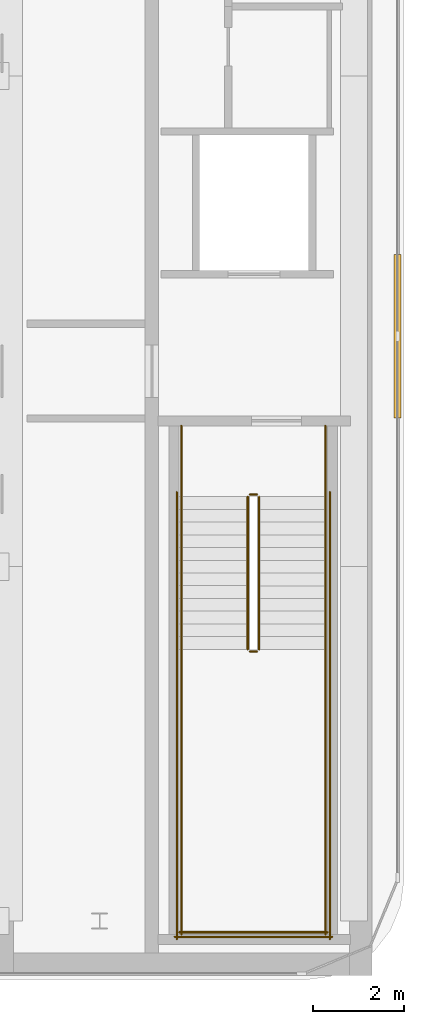
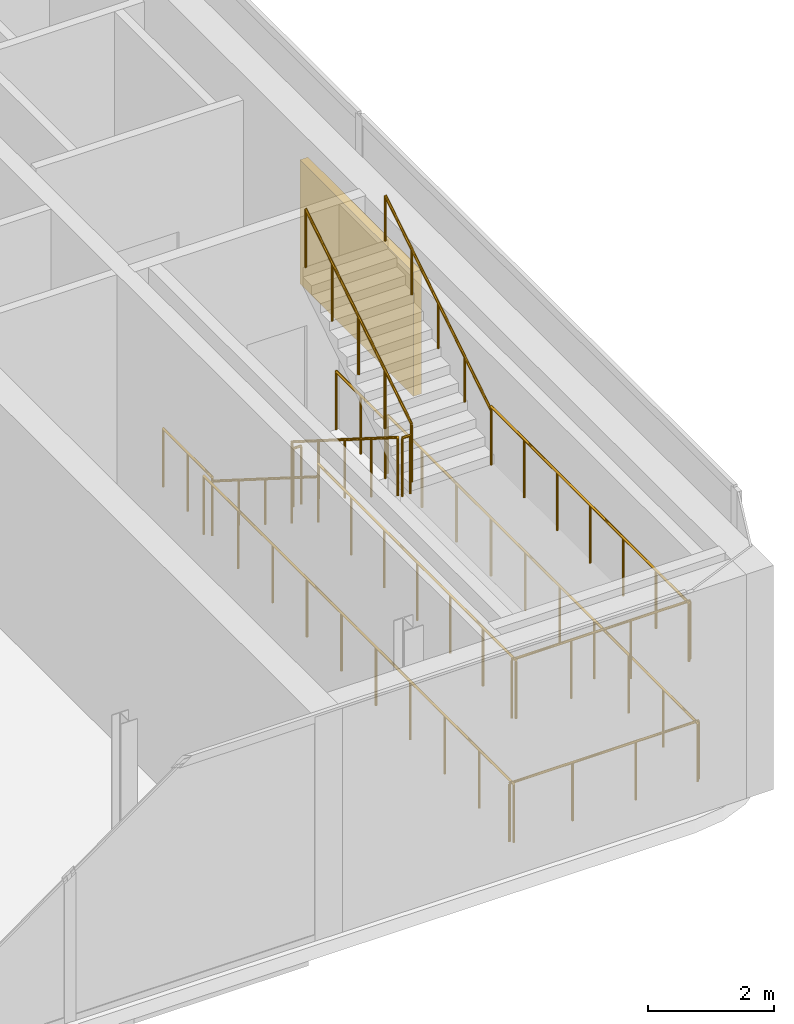
# One storey, part 14 of 15: 14 railings, 1 shading device.
"""IFC4 building model written with IfcOpenShell, lengths in metres."""

from ifc_helpers import new_model, si_unit, direction, frame, origin, origin_2d, place, context, subcontext, project, spatial, rectangle, circle, extrude, material, layer, layer_set, type_object, element, save


model = new_model("IFC4")

# Units and contexts
model_context = context("Model", 3, precision=1e-05, world=origin(), true_north=direction((0.0, 1.0)))
body_context = subcontext(model_context, "Body", "Model", "MODEL_VIEW")
ifc_project = project(units=[si_unit("LENGTHUNIT", "METRE"), si_unit("AREAUNIT", "SQUARE_METRE"), si_unit("VOLUMEUNIT", "CUBIC_METRE"), si_unit("PLANEANGLEUNIT", "RADIAN"), si_unit("MASSUNIT", "GRAM", prefix="KILO")], contexts=[model_context])

# Site, building, storey
site_placement = place(None, origin())
site = spatial("IfcSite", under=ifc_project, at=site_placement, CompositionType="ELEMENT")
building_placement = place(site_placement, origin())
building = spatial("IfcBuilding", under=site, at=building_placement, Name="Khairoan Windgate Tower", CompositionType="ELEMENT")
storey_placement = place(building_placement, frame((0.0, 0.0, 330.39990234375)))
storey = spatial("IfcBuildingStorey", under=building, at=storey_placement, Name="L79", CompositionType="ELEMENT", Elevation=330.39990234375)

# Shading device
ifc_material_1 = material(Name="Anodised Bronze Aluminium 6063-T6", Category="aluminium")
ifc_layer = layer(ifc_material_1, 0.14990234375, Name="Anodised Bronze Aluminium 6063-T6")
ifc_layer_set = layer_set([ifc_layer], Name="Anodised Bronze Aluminium 6063-T6")
shading_device_type = type_object("IfcShadingDeviceType", Name="Acoustic Bronze Plant Weather Louvre BWL-1", PredefinedType="JALOUSIE", material=ifc_layer_set)
shading_device_placement = place(storey_placement, frame((20.9599609375, -5.724365234375, 0.000244140625), z_axis=(0.0, 0.0, 1.0), x_axis=(0.0, -1.0, 0.0)))
element("IfcShadingDevice", 1, at=shading_device_placement, inside=storey, type_object=shading_device_type, Name="L79 Acoustic Bronze Plant Louvre 7", PredefinedType="JALOUSIE", context=body_context, shape_type="SweptSolid", body=[
    extrude(rectangle(XDim=3.60009765625, YDim=0.14990234375, at=origin_2d()), origin(), (0.0, 0.0, 1.0), 2.39990234375),
])

# Railings
ifc_material_2 = material(Name="Anodised Bronze Aluminium 6063-T6", Category="aluminium")
railing_type_1 = type_object("IfcRailingType", Name="Stair Wall Handrail SHR-900", PredefinedType="HANDRAIL", material=ifc_material_2)
railing_1_placement = place(storey_placement, frame((16.199951171875, -9.260009765625, 0.177001953125)))
element("IfcRailing", 2, at=railing_1_placement, inside=storey, type_object=railing_type_1, Name="L79 ST1 stair handrail 1", PredefinedType="HANDRAIL", context=body_context, shape_type="SweptSolid", body=[
    extrude(circle(Radius=0.02392578125, at=origin_2d()), frame((0.0, 0.0, 0.8759765625), z_axis=(0.0, -0.845389635667, 0.534150132366), x_axis=(1.0, 0.0, 0.0)), (0.0, 0.0, 1.0), 3.974609375),
    extrude(circle(Radius=0.02099609375, at=origin_2d()), origin(), (0.0, 0.0, 1.0), 0.851806640625),
    extrude(circle(Radius=0.02099609375, at=origin_2d()), frame((0.0, -0.840087890625, 0.53076171875)), (0.0, 0.0, 1.0), 0.851806640625),
    extrude(circle(Radius=0.02099609375, at=origin_2d()), frame((0.0, -1.68017578125, 1.0615234375)), (0.0, 0.0, 1.0), 0.851806640625),
    extrude(circle(Radius=0.02099609375, at=origin_2d()), frame((0.0, -2.52001953125, 1.59228515625)), (0.0, 0.0, 1.0), 0.851806640625),
    extrude(circle(Radius=0.02099609375, at=origin_2d()), frame((0.0, -3.360107421875, 2.123046875)), (0.0, 0.0, 1.0), 0.851806640625),
])
railing_2_placement = place(storey_placement, frame((19.3701171875, -12.6201171875, 2.47705078125)))
element("IfcRailing", 3, at=railing_2_placement, inside=storey, type_object=railing_type_1, Name="L79 ST1 stair handrail 2", PredefinedType="HANDRAIL", context=body_context, shape_type="SweptSolid", body=[
    extrude(circle(Radius=0.02392578125, at=origin_2d()), frame((0.0, 0.0, 0.8759765625), z_axis=(0.0, 0.845389635667, 0.534150132366), x_axis=(-1.0, 0.0, 0.0)), (0.0, 0.0, 1.0), 3.974609375),
    extrude(circle(Radius=0.02099609375, at=origin_2d()), origin(), (0.0, 0.0, 1.0), 0.851806640625),
    extrude(circle(Radius=0.02099609375, at=origin_2d()), frame((0.0, 0.840087890625, 0.53076171875)), (0.0, 0.0, 1.0), 0.851806640625),
    extrude(circle(Radius=0.02099609375, at=origin_2d()), frame((0.0, 1.68017578125, 1.0615234375)), (0.0, 0.0, 1.0), 0.851806640625),
    extrude(circle(Radius=0.02099609375, at=origin_2d()), frame((0.0, 2.52001953125, 1.59228515625)), (0.0, 0.0, 1.0), 0.851806640625),
    extrude(circle(Radius=0.02099609375, at=origin_2d()), frame((0.0, 3.360107421875, 2.123046875)), (0.0, 0.0, 1.0), 0.851806640625),
])
ifc_material_3 = material(Name="Steel S355", Category="steel")
railing_type_2 = type_object("IfcRailingType", Name="Stairwell Safety Guardrail SGR-1150", PredefinedType="GUARDRAIL", material=ifc_material_3)
railing_3_placement = place(storey_placement, frame((17.659912109375, -9.260009765625, 0.177001953125)))
element("IfcRailing", 4, at=railing_3_placement, inside=storey, type_object=railing_type_2, Name="L79 ST1 stair guard 1", PredefinedType="GUARDRAIL", context=body_context, shape_type="SweptSolid", body=[
    extrude(circle(Radius=0.02392578125, at=origin_2d()), frame((0.0, 0.0, 1.1259765625), z_axis=(0.0, -0.845389635667, 0.534150132366), x_axis=(1.0, 0.0, 0.0)), (0.0, 0.0, 1.0), 3.974609375),
    extrude(circle(Radius=0.02099609375, at=origin_2d()), origin(), (0.0, 0.0, 1.0), 1.101806640625),
    extrude(circle(Radius=0.02099609375, at=origin_2d()), frame((0.0, -0.840087890625, 0.53076171875)), (0.0, 0.0, 1.0), 1.101806640625),
    extrude(circle(Radius=0.02099609375, at=origin_2d()), frame((0.0, -1.68017578125, 1.0615234375)), (0.0, 0.0, 1.0), 1.101806640625),
    extrude(circle(Radius=0.02099609375, at=origin_2d()), frame((0.0, -2.52001953125, 1.59228515625)), (0.0, 0.0, 1.0), 1.101806640625),
    extrude(circle(Radius=0.02099609375, at=origin_2d()), frame((0.0, -3.360107421875, 2.123046875)), (0.0, 0.0, 1.0), 1.101806640625),
])
railing_4_placement = place(storey_placement, frame((17.7099609375, -12.669921875, 2.300048828125)))
element("IfcRailing", 5, at=railing_4_placement, inside=storey, type_object=railing_type_2, Name="L79 ST1 stair guard 2", PredefinedType="GUARDRAIL", context=body_context, shape_type="SweptSolid", body=[
    extrude(circle(Radius=0.02392578125, at=origin_2d()), frame((0.0, 0.0, 1.1259765625), z_axis=(1.0, 0.0, 0.0), x_axis=(0.0, 1.0, 0.0)), (0.0, 0.0, 1.0), 0.150146484375),
    extrude(circle(Radius=0.02099609375, at=origin_2d()), origin(), (0.0, 0.0, 1.0), 1.101806640625),
    extrude(circle(Radius=0.02099609375, at=origin_2d()), frame((0.150146484375, 0.0, 0.0)), (0.0, 0.0, 1.0), 1.101806640625),
])
for number, where, name in (
    (6, (16.199951171875, -12.6201171875, 2.300048828125), "L79 ST1 stair guard 3"),
    (7, (19.3701171875, -12.6201171875, 2.300048828125), "L79 ST1 stair guard 4"),
):
    element("IfcRailing", number, at=place(storey_placement, frame(where)), inside=storey, type_object=railing_type_2, Name=name, PredefinedType="GUARDRAIL", context=body_context, shape_type="SweptSolid", body=[
        extrude(circle(Radius=0.02392578125, at=origin_2d()), frame((0.0, 0.0, 1.1259765625), z_axis=(0.0, -1.0, 0.0), x_axis=(1.0, 0.0, 0.0)), (0.0, 0.0, 1.0), 6.27978515625),
        extrude(circle(Radius=0.02099609375, at=origin_2d()), origin(), (0.0, 0.0, 1.0), 1.101806640625),
        extrude(circle(Radius=0.02099609375, at=origin_2d()), frame((0.0, -1.046630859375, 0.0)), (0.0, 0.0, 1.0), 1.101806640625),
        extrude(circle(Radius=0.02099609375, at=origin_2d()), frame((0.0, -2.09326171875, 0.0)), (0.0, 0.0, 1.0), 1.101806640625),
        extrude(circle(Radius=0.02099609375, at=origin_2d()), frame((0.0, -3.139892578125, 0.0)), (0.0, 0.0, 1.0), 1.101806640625),
        extrude(circle(Radius=0.02099609375, at=origin_2d()), frame((0.0, -4.1865234375, 0.0)), (0.0, 0.0, 1.0), 1.101806640625),
        extrude(circle(Radius=0.02099609375, at=origin_2d()), frame((0.0, -5.233154296875, 0.0)), (0.0, 0.0, 1.0), 1.101806640625),
        extrude(circle(Radius=0.02099609375, at=origin_2d()), frame((0.0, -6.27978515625, 0.0)), (0.0, 0.0, 1.0), 1.101806640625),
    ])
railing_5_placement = place(storey_placement, frame((16.14990234375, -18.85009765625, 2.300048828125)))
element("IfcRailing", 8, at=railing_5_placement, inside=storey, type_object=railing_type_2, Name="L79 ST1 stair guard 5", PredefinedType="GUARDRAIL", context=body_context, shape_type="SweptSolid", body=[
    extrude(circle(Radius=0.02392578125, at=origin_2d()), frame((0.0, 0.0, 1.1259765625), z_axis=(1.0, 0.0, 0.0), x_axis=(0.0, 1.0, 0.0)), (0.0, 0.0, 1.0), 3.27001953125),
    extrude(circle(Radius=0.02099609375, at=origin_2d()), origin(), (0.0, 0.0, 1.0), 1.101806640625),
    extrude(circle(Radius=0.02099609375, at=origin_2d()), frame((1.090087890625, 0.0, 0.0)), (0.0, 0.0, 1.0), 1.101806640625),
    extrude(circle(Radius=0.02099609375, at=origin_2d()), frame((2.179931640625, 0.0, 0.0)), (0.0, 0.0, 1.0), 1.101806640625),
    extrude(circle(Radius=0.02099609375, at=origin_2d()), frame((3.27001953125, 0.0, 0.0)), (0.0, 0.0, 1.0), 1.101806640625),
])
railing_6_placement = place(storey_placement, frame((17.909912109375, -12.6201171875, 2.47705078125)))
element("IfcRailing", 9, at=railing_6_placement, inside=storey, type_object=railing_type_2, Name="L79 ST1 stair guard 6", PredefinedType="GUARDRAIL", context=body_context, shape_type="SweptSolid", body=[
    extrude(circle(Radius=0.02392578125, at=origin_2d()), frame((0.0, 0.0, 1.1259765625), z_axis=(0.0, 0.845389635667, 0.534150132366), x_axis=(-1.0, 0.0, 0.0)), (0.0, 0.0, 1.0), 3.974609375),
    extrude(circle(Radius=0.02099609375, at=origin_2d()), origin(), (0.0, 0.0, 1.0), 1.101806640625),
    extrude(circle(Radius=0.02099609375, at=origin_2d()), frame((0.0, 0.840087890625, 0.53076171875)), (0.0, 0.0, 1.0), 1.101806640625),
    extrude(circle(Radius=0.02099609375, at=origin_2d()), frame((0.0, 1.68017578125, 1.0615234375)), (0.0, 0.0, 1.0), 1.101806640625),
    extrude(circle(Radius=0.02099609375, at=origin_2d()), frame((0.0, 2.52001953125, 1.59228515625)), (0.0, 0.0, 1.0), 1.101806640625),
    extrude(circle(Radius=0.02099609375, at=origin_2d()), frame((0.0, 3.360107421875, 2.123046875)), (0.0, 0.0, 1.0), 1.101806640625),
])
railing_7_placement = place(storey_placement, frame((17.7099609375, -9.2099609375, 0.0)))
element("IfcRailing", 10, at=railing_7_placement, inside=storey, type_object=railing_type_2, Name="L79 ST1 stair guard 7", PredefinedType="GUARDRAIL", context=body_context, shape_type="SweptSolid", body=[
    extrude(circle(Radius=0.02392578125, at=origin_2d()), frame((0.0, 0.0, 1.1259765625), z_axis=(1.0, 0.0, 0.0), x_axis=(0.0, 1.0, 0.0)), (0.0, 0.0, 1.0), 0.150146484375),
    extrude(circle(Radius=0.02099609375, at=origin_2d()), origin(), (0.0, 0.0, 1.0), 1.101806640625),
    extrude(circle(Radius=0.02099609375, at=origin_2d()), frame((0.150146484375, 0.0, 0.0)), (0.0, 0.0, 1.0), 1.101806640625),
])
for number, where, name in (
    (11, (16.199951171875, -7.699951171875, 0.0), "L79 ST1 stair guard 8"),
    (12, (19.3701171875, -7.699951171875, 0.0), "L79 ST1 stair guard 9"),
):
    element("IfcRailing", number, at=place(storey_placement, frame(where)), inside=storey, type_object=railing_type_2, Name=name, PredefinedType="GUARDRAIL", context=body_context, shape_type="SweptSolid", body=[
        extrude(circle(Radius=0.02392578125, at=origin_2d()), frame((0.0, 0.0, 1.1259765625), z_axis=(0.0, -1.0, 0.0), x_axis=(1.0, 0.0, 0.0)), (0.0, 0.0, 1.0), 1.56005859375),
        extrude(circle(Radius=0.02099609375, at=origin_2d()), origin(), (0.0, 0.0, 1.0), 1.101806640625),
        extrude(circle(Radius=0.02099609375, at=origin_2d()), frame((0.0, -0.780029296875, 0.0)), (0.0, 0.0, 1.0), 1.101806640625),
        extrude(circle(Radius=0.02099609375, at=origin_2d()), frame((0.0, -1.56005859375, 0.0)), (0.0, 0.0, 1.0), 1.101806640625),
    ])
for number, where, name in (
    (13, (16.10009765625, -9.159912109375, 0.0), "L79 ST1 stair guard 10"),
    (14, (19.469970703125, -9.159912109375, 0.0), "L79 ST1 stair guard 11"),
):
    element("IfcRailing", number, at=place(storey_placement, frame(where)), inside=storey, type_object=railing_type_2, Name=name, PredefinedType="GUARDRAIL", context=body_context, shape_type="SweptSolid", body=[
        extrude(circle(Radius=0.02392578125, at=origin_2d()), frame((0.0, 0.0, 1.1259765625), z_axis=(0.0, -1.0, 0.0), x_axis=(1.0, 0.0, 0.0)), (0.0, 0.0, 1.0), 9.840087890625),
        extrude(circle(Radius=0.02099609375, at=origin_2d()), origin(), (0.0, 0.0, 1.0), 1.101806640625),
        extrude(circle(Radius=0.02099609375, at=origin_2d()), frame((0.0, -1.09326171875, 0.0)), (0.0, 0.0, 1.0), 1.101806640625),
        extrude(circle(Radius=0.02099609375, at=origin_2d()), frame((0.0, -2.186767578125, 0.0)), (0.0, 0.0, 1.0), 1.101806640625),
        extrude(circle(Radius=0.02099609375, at=origin_2d()), frame((0.0, -3.280029296875, 0.0)), (0.0, 0.0, 1.0), 1.101806640625),
        extrude(circle(Radius=0.02099609375, at=origin_2d()), frame((0.0, -4.373291015625, 0.0)), (0.0, 0.0, 1.0), 1.101806640625),
        extrude(circle(Radius=0.02099609375, at=origin_2d()), frame((0.0, -5.466796875, 0.0)), (0.0, 0.0, 1.0), 1.101806640625),
        extrude(circle(Radius=0.02099609375, at=origin_2d()), frame((0.0, -6.56005859375, 0.0)), (0.0, 0.0, 1.0), 1.101806640625),
        extrude(circle(Radius=0.02099609375, at=origin_2d()), frame((0.0, -7.6533203125, 0.0)), (0.0, 0.0, 1.0), 1.101806640625),
        extrude(circle(Radius=0.02099609375, at=origin_2d()), frame((0.0, -8.746826171875, 0.0)), (0.0, 0.0, 1.0), 1.101806640625),
        extrude(circle(Radius=0.02099609375, at=origin_2d()), frame((0.0, -9.840087890625, 0.0)), (0.0, 0.0, 1.0), 1.101806640625),
    ])
railing_8_placement = place(storey_placement, frame((16.050048828125, -18.949951171875, 0.0)))
element("IfcRailing", 15, at=railing_8_placement, inside=storey, type_object=railing_type_2, Name="L79 ST1 stair guard 12", PredefinedType="GUARDRAIL", context=body_context, shape_type="SweptSolid", body=[
    extrude(circle(Radius=0.02392578125, at=origin_2d()), frame((0.0, 0.0, 1.1259765625), z_axis=(1.0, 0.0, 0.0), x_axis=(0.0, 1.0, 0.0)), (0.0, 0.0, 1.0), 3.469970703125),
    extrude(circle(Radius=0.02099609375, at=origin_2d()), origin(), (0.0, 0.0, 1.0), 1.101806640625),
    extrude(circle(Radius=0.02099609375, at=origin_2d()), frame((1.15673828125, 0.0, 0.0)), (0.0, 0.0, 1.0), 1.101806640625),
    extrude(circle(Radius=0.02099609375, at=origin_2d()), frame((2.313232421875, 0.0, 0.0)), (0.0, 0.0, 1.0), 1.101806640625),
    extrude(circle(Radius=0.02099609375, at=origin_2d()), frame((3.469970703125, 0.0, 0.0)), (0.0, 0.0, 1.0), 1.101806640625),
])

save(model, "model.ifc")
